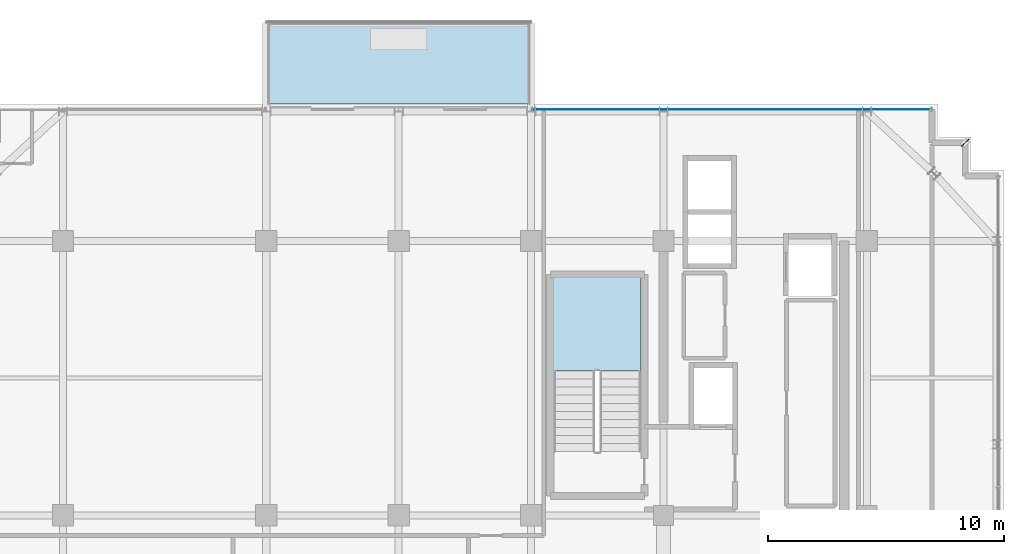
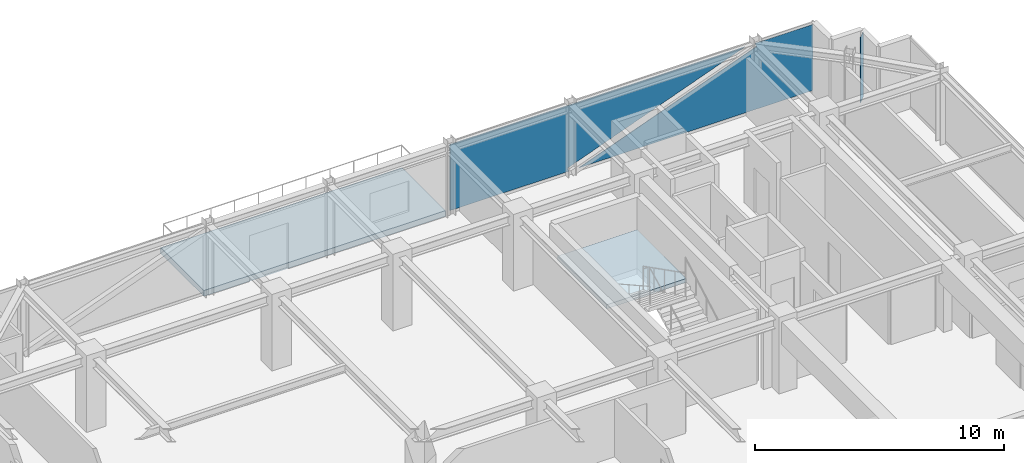
# One storey, part 29 of 36: 2 plates, 2 slabs, 2 elements without a shape of their own.
"""IFC4 building model written with IfcOpenShell, lengths in metres."""

from ifc_helpers import new_model, si_unit, direction, frame, origin, origin_2d, place, context, subcontext, project, spatial, polyline, rectangle, outline, extrude, source, transform, mapped, material, layer, layer_set, type_object, element, aggregate, save


model = new_model("IFC4")

# Units and contexts
model_context = context("Model", 3, precision=1e-05, world=origin(), true_north=direction((0.0, 1.0)))
body_context = subcontext(model_context, "Body", "Model", "MODEL_VIEW")
ifc_project = project(units=[si_unit("LENGTHUNIT", "METRE"), si_unit("AREAUNIT", "SQUARE_METRE"), si_unit("VOLUMEUNIT", "CUBIC_METRE"), si_unit("PLANEANGLEUNIT", "RADIAN"), si_unit("MASSUNIT", "GRAM", prefix="KILO")], contexts=[model_context])

# Site, building, storey
site_placement = place(None, origin())
site = spatial("IfcSite", under=ifc_project, at=site_placement, CompositionType="ELEMENT")
building_placement = place(site_placement, origin())
building = spatial("IfcBuilding", under=site, at=building_placement, Name="Nahalor Promenade Grand Hotel", CompositionType="ELEMENT")
storey_placement = place(building_placement, frame((0.0, 0.0, 319.550048828125)))
storey = spatial("IfcBuildingStorey", under=building, at=storey_placement, Name="L82", CompositionType="ELEMENT", Elevation=319.550048828125)

# Curtain wall, plate
ifc_material_1 = material(Name="Anodised Bronze Aluminium EN AW-6063 T6", Category="aluminium")
curtain_wall_type = type_object("IfcCurtainWallType", Name="CW2 Typical Hotel Flush Bronze Unitised Curtain Wall", PredefinedType="USERDEFINED", material=ifc_material_1)
curtain_wall_placement = place(storey_placement, origin())
curtain_wall = element("IfcCurtainWall", 1, at=curtain_wall_placement, inside=storey, type_object=curtain_wall_type, Name="L82 Curtain Wall CW-L82-N-3", ObjectType="UNITISED_CURTAIN_WALL", PredefinedType="USERDEFINED")
ifc_material_2 = material(Name="Low-E Laminated Solar Glass", Category="glass")
ifc_layer_1 = layer(ifc_material_2, 0.028076171875)
ifc_layer_set_1 = layer_set([ifc_layer_1], Name="Low-E Laminated Solar Glass")
plate_type_1 = type_object("IfcPlateType", Name="CWP2 Bronze Low-E Vision IGU 28mm", PredefinedType="CURTAIN_PANEL", material=ifc_layer_set_1)
plate_1_placement = place(storey_placement, frame((11.280029296875, 22.56005859375, 0.1298828125), z_axis=(0.0, 0.0, 1.0), x_axis=(1.0, 0.0, 0.0)))
plate_1 = element("IfcPlate", 2, at=plate_1_placement, type_object=plate_type_1, Name="CW-L82-N-3 Glazing Panel 0-0", PredefinedType="CURTAIN_PANEL", context=body_context, shape_type="SweptSolid", body=[
    extrude(outline(polyline([(-8.4150390625, 3.239990234375), (-8.4150390625, 0.0), (-2.899169921875, 0.0), (-2.96435546875, 0.17529296875), (5.27197265625, 3.239990234375), (-8.4150390625, 3.239990234375)])), frame((0.0, 0.01416015625, 0.0), z_axis=(0.0, -1.0, 0.0), x_axis=(1.0, 0.0, 0.0)), (0.0, 0.0, 1.0), 0.028076171875),
    extrude(outline(polyline([(8.4150390625, 0.0), (8.4150390625, 3.239990234375), (5.7392578125, 3.239990234375), (5.804443359375, 3.064697265625), (-2.431884765625, 0.0), (8.4150390625, 0.0)])), frame((0.0, 0.01416015625, 0.0), z_axis=(0.0, -1.0, 0.0), x_axis=(1.0, 0.0, 0.0)), (0.0, 0.0, 1.0), 0.028076171875),
])
aggregate(curtain_wall, [plate_1])

# Stair, slab
ifc_material_3 = material(Name="Concrete B-50 (C40/50)", Category="concrete")
stair_type = type_object("IfcStairType", Name="Stair-ST1", PredefinedType="HALF_TURN_STAIR", material=ifc_material_3)
stair_placement = place(storey_placement, origin())
stair = element("IfcStair", 3, at=stair_placement, inside=storey, type_object=stair_type, Name="L82 ST1", PredefinedType="HALF_TURN_STAIR")
ifc_layer_2 = layer(ifc_material_3, 0.199951171875)
ifc_layer_set_2 = layer_set([ifc_layer_2], Name="Concrete B-50 (C40/50)")
slab_type_1 = type_object("IfcSlabType", Name="Landing-ST1", PredefinedType="LANDING", material=ifc_layer_set_2)
slab_1_placement = place(storey_placement, frame((0.0, 0.0, 1.699951171875)))
slab_1 = element("IfcSlab", 4, at=slab_1_placement, type_object=slab_type_1, Name="ST1 landing 1", PredefinedType="LANDING", context=body_context, shape_type="SweptSolid", body=[
    extrude(outline(polyline([(7.449951171875, 11.5), (7.449951171875, 15.449951171875), (3.75, 15.449951171875), (3.75, 11.5), (7.449951171875, 11.5)])), origin(), (0.0, 0.0, 1.0), 0.199951171875),
])
aggregate(stair, [slab_1])

# Slab
ifc_layer_3 = layer(ifc_material_3, 0.280029296875)
ifc_layer_set_3 = layer_set([ifc_layer_3], Name="Concrete B-50 (C40/50)")
slab_type_2 = type_object("IfcSlabType", Name="Slab-Balcony-280", PredefinedType="FLOOR", material=ifc_layer_set_3)
slab_2_placement = place(storey_placement, frame((0.0, 0.0, -0.280029296875)))
element("IfcSlab", 5, at=slab_2_placement, inside=storey, type_object=slab_type_2, Name="L82 Cantilevered Planted Balcony 1", PredefinedType="FLOOR", context=body_context, shape_type="SweptSolid", body=[
    extrude(outline(polyline([(-8.39990234375, 22.800048828125), (2.800048828125, 22.800048828125), (2.800048828125, 26.280029296875), (-8.39990234375, 26.280029296875), (-8.39990234375, 22.800048828125)])), origin(), (0.0, 0.0, 1.0), 0.280029296875),
])

# Plate
ifc_layer_4 = layer(ifc_material_1, 0.02001953125)
ifc_layer_set_4 = layer_set([ifc_layer_4], Name="Anodised Bronze Aluminium EN AW-6063 T6")
plate_type_2 = type_object("IfcPlateType", Name="Plate-CornerFin-20", PredefinedType="SHEET", material=ifc_layer_set_4)
shared_shape = source(origin(), body_context, "Body", "SweptSolid", [
    extrude(rectangle(XDim=0.449951171875, YDim=0.02001953125, at=origin_2d()), origin(), (0.0, 0.0, 1.0), 3.199951171875),
])
plate_2_placement = place(storey_placement, frame((21.159912109375, 21.159912109375, 0.0), z_axis=(0.0, 0.0, 1.0), x_axis=(0.707106781187, 0.707106781187, 0.0)))
element("IfcPlate", 6, at=plate_2_placement, inside=storey, type_object=plate_type_2, Name="FIN-L82-NE", PredefinedType="SHEET", context=body_context, shape_type="MappedRepresentation", body=[
    mapped(shared_shape, transform((0.0, 0.0, 0.0), scale=1.0)),
])

save(model, "model.ifc")
